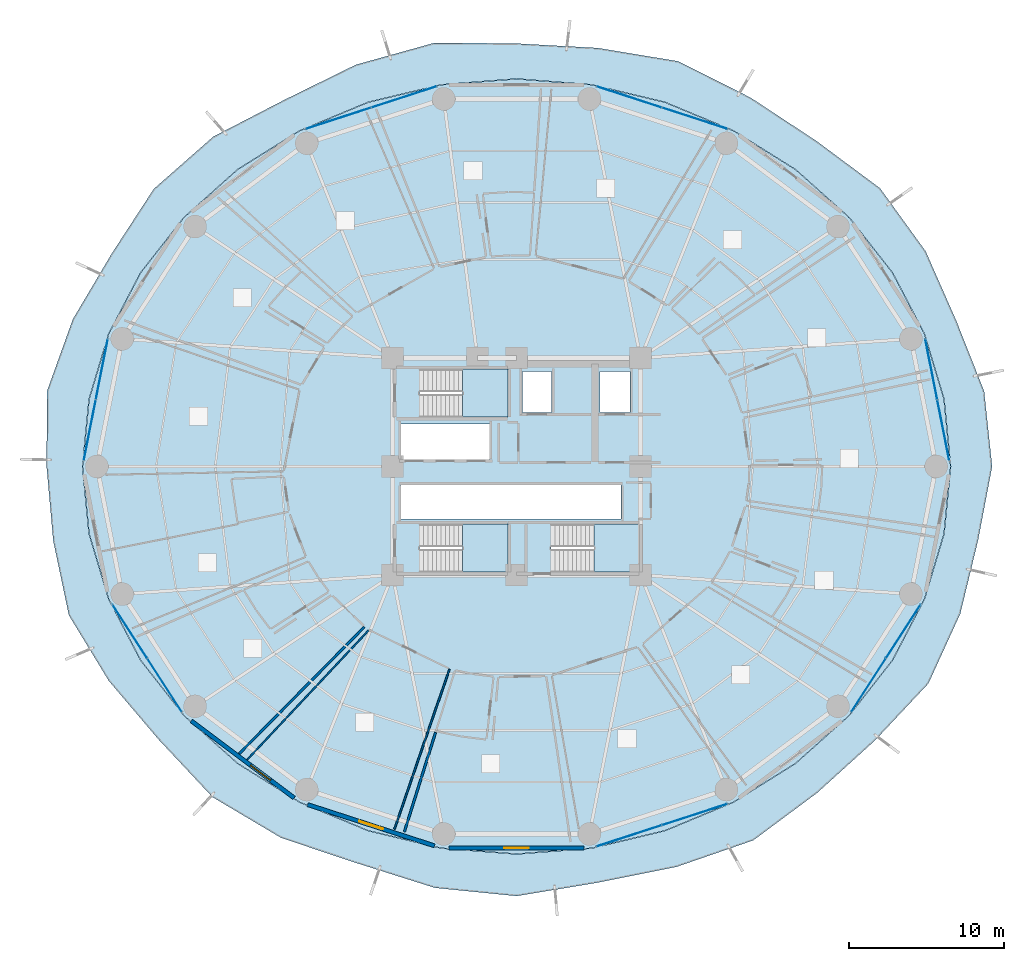
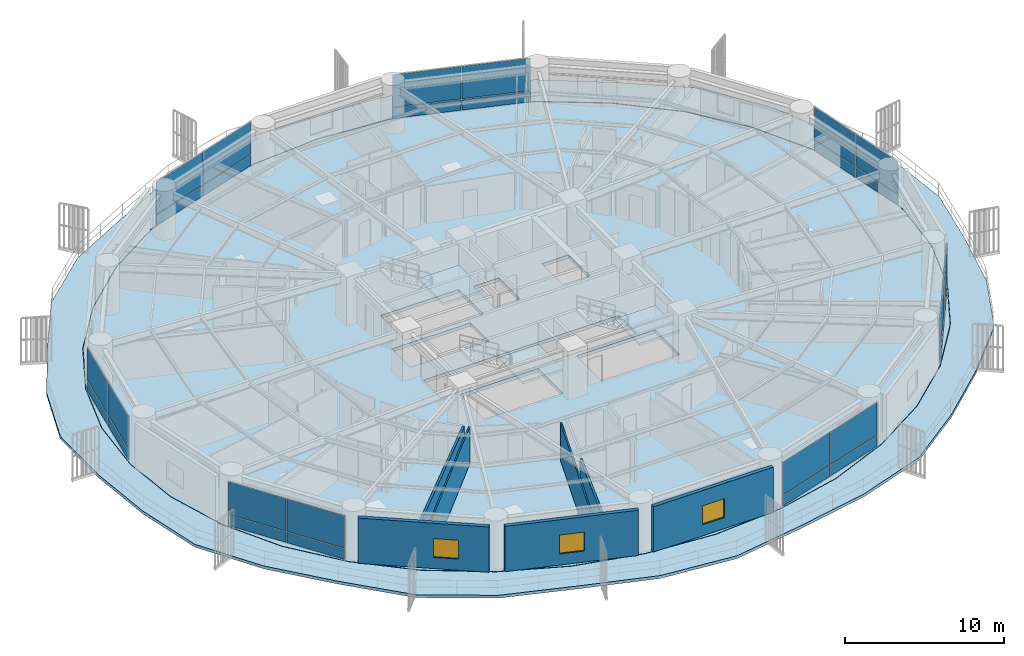
# One storey, part 23 of 34: 28 plates, 7 walls, 5 slabs, 3 windows, 3 openings, 10 elements without a shape of their own.
"""IFC4 building model written with IfcOpenShell, lengths in metres."""

import ifcopenshell
import ifcopenshell.guid

model = None  # the IFC model being written
_history = None  # IfcOwnerHistory: only IFC2X3 demands one
_inside = {}  # id of a spatial element -> (the spatial element, [elements in it])
_under = {}  # id of a project, library or spatial element -> (it, [spatial elements below it])
_declared = {}  # id of a project -> (the project, [libraries it declares])
_typed = {}  # id of a type object -> (the type object, [elements of that type])
_made_of = {}  # id of a material, layer set ... -> (it, [elements and type objects made of it])


def new_model(schema):
    """Start an empty IFC model of exactly this schema.

    Asked for "IFC4X3", IfcOpenShell would pick the latest addendum, in which some entities
    have other attributes; the version numbers below select the first issue.
    IFC2X3 requires an IfcOwnerHistory on every rooted entity: one is made here for all.
    """
    global model, _history
    if schema == "IFC4X3":
        model = ifcopenshell.file(schema_version=(4, 3, 0, 0))
    else:
        model = ifcopenshell.file(schema=schema)
    _inside.clear()
    _under.clear()
    _declared.clear()
    _typed.clear()
    _made_of.clear()
    _history = None
    if model.schema == "IFC2X3":
        org = make("IfcOrganization", Name="unknown")
        user = make(
            "IfcPersonAndOrganization",
            ThePerson=make("IfcPerson", FamilyName="unknown"),
            TheOrganization=org,
        )
        app = make(
            "IfcApplication",
            ApplicationDeveloper=org,
            Version="unknown",
            ApplicationFullName="unknown",
            ApplicationIdentifier="unknown",
        )
        _history = make(
            "IfcOwnerHistory",
            OwningUser=user,
            OwningApplication=app,
            ChangeAction="ADDED",
            CreationDate=0,
        )
    return model


def make(cls, **values):
    """One entity of the class cls with the attributes given. An attribute that is None is left unset."""
    return model.create_entity(
        cls, **{name: value for name, value in values.items() if value is not None}
    )


def rooted(cls, **values):
    """An entity with a GlobalId (a new one), such as an element, a storey or a relation."""
    return make(cls, GlobalId=ifcopenshell.guid.new(), OwnerHistory=_history, **values)


def si_unit(unit_type, name, prefix=None):
    """IfcSIUnit, for example si_unit("LENGTHUNIT", "METRE", prefix="MILLI")."""
    return make("IfcSIUnit", UnitType=unit_type, Prefix=prefix, Name=name)


def assignment(units):
    """IfcUnitAssignment: the units of a project."""
    return None if units is None else make("IfcUnitAssignment", Units=units)


def point(xyz):
    """IfcCartesianPoint."""
    return None if xyz is None else make("IfcCartesianPoint", Coordinates=xyz)


def direction(xyz):
    """IfcDirection."""
    return None if xyz is None else make("IfcDirection", DirectionRatios=xyz)


def frame(location, z_axis=None, x_axis=None):
    """IfcAxis2Placement3D, a coordinate frame: its origin and axes. An axis left out is left unset."""
    return make(
        "IfcAxis2Placement3D",
        Location=point(location),
        Axis=direction(z_axis),
        RefDirection=direction(x_axis),
    )


def frame_2d(location, x_axis=None):
    """IfcAxis2Placement2D, a coordinate frame in the plane: its origin and x axis."""
    return make(
        "IfcAxis2Placement2D", Location=point(location), RefDirection=direction(x_axis)
    )


def origin():
    """The frame at (0, 0, 0) with its axes left unset."""
    return frame((0.0, 0.0, 0.0))


def origin_2d():
    """The frame at (0, 0) in the plane with its x axis left unset."""
    return frame_2d((0.0, 0.0))


def place(relative_to, where):
    """IfcLocalPlacement: puts the frame where relative to a parent placement (None: the world)."""
    return make(
        "IfcLocalPlacement", PlacementRelTo=relative_to, RelativePlacement=where
    )


def context(
    kind, dimensions, precision=None, world=None, true_north=None, identifier=None
):
    """IfcGeometricRepresentationContext, for example the 3D "Model" context."""
    return make(
        "IfcGeometricRepresentationContext",
        ContextIdentifier=identifier,
        ContextType=kind,
        CoordinateSpaceDimension=dimensions,
        Precision=precision,
        WorldCoordinateSystem=world,
        TrueNorth=true_north,
    )


def subcontext(parent, identifier, kind, view, scale=None):
    """IfcGeometricRepresentationSubContext, for example "Body" below "Model"."""
    return make(
        "IfcGeometricRepresentationSubContext",
        ContextIdentifier=identifier,
        ContextType=kind,
        ParentContext=parent,
        TargetScale=scale,
        TargetView=view,
    )


def project(units=None, contexts=None):
    """IfcProject with its units and contexts."""
    return rooted(
        "IfcProject",
        Name="project",
        RepresentationContexts=contexts,
        UnitsInContext=assignment(units),
    )


def spatial(cls, under=None, at=None, **own):
    """A site, building, storey or space (cls), placed at a placement, below another one or the project."""
    s = rooted(cls, ObjectPlacement=at, **own)
    if under is not None:
        _under.setdefault(under.id(), (under, []))[1].append(s)
    return s


def polyline(points):
    """IfcPolyline through the points."""
    return make("IfcPolyline", Points=[point(p) for p in points])


def profile(cls, at=None, kind="AREA", **sizes):
    """A parametric profile (cls). Its sizes go by their IFC names, for example OverallWidth=200.0."""
    return make(cls, ProfileType=kind, Position=at, **sizes)


def rectangle(**sizes):
    """IfcRectangleProfileDef."""
    return profile("IfcRectangleProfileDef", **sizes)


def outline(outer, holes=None, kind="AREA"):
    """IfcArbitraryClosedProfileDef: a profile drawn as a closed curve; with holes, ...WithVoids."""
    if holes is None:
        return make("IfcArbitraryClosedProfileDef", ProfileType=kind, OuterCurve=outer)
    return make(
        "IfcArbitraryProfileDefWithVoids",
        ProfileType=kind,
        OuterCurve=outer,
        InnerCurves=holes,
    )


def extrude(swept, where, along, depth):
    """IfcExtrudedAreaSolid: the profile swept, set in the frame where, extruded along a direction by depth."""
    return make(
        "IfcExtrudedAreaSolid",
        SweptArea=swept,
        Position=where,
        ExtrudedDirection=direction(along),
        Depth=depth,
    )


def shape(context_of_items, identifier, shape_type, items):
    """IfcShapeRepresentation: the items that make up one representation, for example the "Body"."""
    return make(
        "IfcShapeRepresentation",
        ContextOfItems=context_of_items,
        RepresentationIdentifier=identifier,
        RepresentationType=shape_type,
        Items=items,
    )


def source(mapping_origin, context_of_items, identifier, shape_type, items):
    """IfcRepresentationMap: a shape defined once, which mapped items show again and again."""
    return make(
        "IfcRepresentationMap",
        MappingOrigin=mapping_origin,
        MappedRepresentation=shape(context_of_items, identifier, shape_type, items),
    )


def transform(
    local_origin,
    x_axis=None,
    y_axis=None,
    z_axis=None,
    scale=None,
    scale2=None,
    scale3=None,
    uniform=True,
):
    """IfcCartesianTransformationOperator3D, or its non-uniform kind. x_axis, y_axis, z_axis: its Axis1, 2, 3."""
    if uniform:
        return make(
            "IfcCartesianTransformationOperator3D",
            Axis1=direction(x_axis),
            Axis2=direction(y_axis),
            LocalOrigin=point(local_origin),
            Scale=scale,
            Axis3=direction(z_axis),
        )
    return make(
        "IfcCartesianTransformationOperator3DnonUniform",
        Axis1=direction(x_axis),
        Axis2=direction(y_axis),
        LocalOrigin=point(local_origin),
        Scale=scale,
        Axis3=direction(z_axis),
        Scale2=scale2,
        Scale3=scale3,
    )


def mapped(mapping_source, mapping_target):
    """IfcMappedItem: shows the shape of a source again, moved by a transform."""
    return make(
        "IfcMappedItem", MappingSource=mapping_source, MappingTarget=mapping_target
    )


def material(Name=None, Category=None):
    """IfcMaterial."""
    return make("IfcMaterial", Name=Name, Category=Category)


def layer(
    of_material, thickness, ventilated=None, Name=None, Category=None, Priority=None
):
    """IfcMaterialLayer: one layer of a wall or slab, of a material (None: an air gap)."""
    return make(
        "IfcMaterialLayer",
        Material=of_material,
        LayerThickness=thickness,
        IsVentilated=ventilated,
        Name=Name,
        Category=Category,
        Priority=Priority,
    )


def layer_set(layers, Name=None):
    """IfcMaterialLayerSet."""
    return make("IfcMaterialLayerSet", MaterialLayers=layers, LayerSetName=Name)


def made_of(thing, what):
    """Note that an element or type object is made of a material, layer set ...; save() writes the relation."""
    if what is not None:
        _made_of.setdefault(what.id(), (what, []))[1].append(thing)
    return thing


def type_object(cls, material=None, **own):
    """A type object (cls), such as IfcWallType, which elements share."""
    return made_of(rooted(cls, **own), material)


def element(
    cls,
    number,
    at=None,
    inside=None,
    cuts=None,
    type_object=None,
    material=None,
    context=None,
    identifier="Body",
    shape_type=None,
    held_by="IfcProductDefinitionShape",
    body=None,
    shapes=None,
    **own,
):
    """One element of the class cls, such as IfcWall. Its Tag is "e" and its number.

    at: its placement. inside: the storey or other place that contains it. cuts: it is an
    opening in that element (IfcRelVoidsElement). A single representation is given by context,
    identifier, shape_type and body (its items); several are given by shapes. held_by: the class
    of the entity that holds the representations. save() writes the other relations.
    """
    e = rooted(cls, Tag="e%d" % number, ObjectPlacement=at, **own)
    if body is not None:
        shapes = [shape(context, identifier, shape_type, body)]
    if shapes is not None:
        e.Representation = make(held_by, Representations=shapes)
    if inside is not None:
        _inside.setdefault(inside.id(), (inside, []))[1].append(e)
    if cuts is not None:
        rooted(
            "IfcRelVoidsElement", RelatingBuildingElement=cuts, RelatedOpeningElement=e
        )
    if type_object is not None:
        _typed.setdefault(type_object.id(), (type_object, []))[1].append(e)
    return made_of(e, material)


def fill(opening, filler):
    """IfcRelFillsElement: the door or window that sits in an opening."""
    return rooted(
        "IfcRelFillsElement",
        RelatingOpeningElement=opening,
        RelatedBuildingElement=filler,
    )


def aggregate(whole, parts):
    """IfcRelAggregates: a whole, such as a stair, and the parts it consists of."""
    return rooted("IfcRelAggregates", RelatingObject=whole, RelatedObjects=parts)


def save(model, path):
    """Write the relations noted so far, then the file.

    IfcRelAggregates (storeys below a building ...), IfcRelContainedInSpatialStructure (elements
    in a storey), IfcRelDefinesByType, IfcRelAssociatesMaterial and IfcRelDeclares: one each for
    every whole, place, type object, material and project.
    """
    for whole, parts in _under.values():
        aggregate(whole, parts)
    for where, things in _inside.values():
        rooted(
            "IfcRelContainedInSpatialStructure",
            RelatedElements=things,
            RelatingStructure=where,
        )
    for kind, things in _typed.values():
        rooted("IfcRelDefinesByType", RelatedObjects=things, RelatingType=kind)
    for what, things in _made_of.values():
        rooted("IfcRelAssociatesMaterial", RelatedObjects=things, RelatingMaterial=what)
    for by, libraries in _declared.values():
        rooted("IfcRelDeclares", RelatingContext=by, RelatedDefinitions=libraries)
    model.write(path)


model = new_model("IFC4")

# Units and contexts
model_context = context("Model", 3, precision=1e-05, world=origin(), true_north=direction((0.0, 1.0)))
body_context = subcontext(model_context, "Body", "Model", "MODEL_VIEW")
ifc_project = project(units=[si_unit("LENGTHUNIT", "METRE"), si_unit("AREAUNIT", "SQUARE_METRE"), si_unit("VOLUMEUNIT", "CUBIC_METRE"), si_unit("PLANEANGLEUNIT", "RADIAN"), si_unit("MASSUNIT", "GRAM", prefix="KILO")], contexts=[model_context])

# Site, building, storey
site_placement = place(None, origin())
site = spatial("IfcSite", under=ifc_project, at=site_placement, CompositionType="ELEMENT")
building_placement = place(site_placement, origin())
building = spatial("IfcBuilding", under=site, at=building_placement, Name="Kelanora Arch Commons", CompositionType="ELEMENT")
storey_placement = place(building_placement, frame((0.0, 0.0, 33.75)))
storey = spatial("IfcBuildingStorey", under=building, at=storey_placement, Name="L08", CompositionType="ELEMENT", Elevation=33.75)

# Stair, slab
ifc_material_1 = material(Name="Concrete C40/50", Category="concrete")
stair_type = type_object("IfcStairType", Name="STR-DL-375", PredefinedType="HALF_TURN_STAIR", material=ifc_material_1)
stair_1_placement = place(storey_placement, origin())
stair_1 = element("IfcStair", 1, at=stair_1_placement, inside=storey, type_object=stair_type, Name="L08 ST-T1", PredefinedType="HALF_TURN_STAIR")
ifc_layer_1 = layer(ifc_material_1, 0.199951171875)
ifc_layer_set_1 = layer_set([ifc_layer_1], Name="Concrete C40/50")
slab_type_1 = type_object("IfcSlabType", Name="SLB-STAIR-LND", PredefinedType="LANDING", material=ifc_layer_set_1)
slab_1_placement = place(storey_placement, frame((0.0, 0.0, 1.675048828125)))
slab_1 = element("IfcSlab", 2, at=slab_1_placement, type_object=slab_type_1, Name="ST-T1 landing 1", PredefinedType="LANDING", context=body_context, shape_type="SweptSolid", body=[
    extrude(outline(polyline([(70.52001953125, 61.179931640625), (73.43994140625, 61.179931640625), (73.43994140625, 64.2900390625), (70.52001953125, 64.2900390625), (70.52001953125, 61.179931640625)])), origin(), (0.0, 0.0, 1.0), 0.199951171875),
])
aggregate(stair_1, [slab_1])

stair_2_placement = place(storey_placement, origin())
stair_2 = element("IfcStair", 3, at=stair_2_placement, inside=storey, type_object=stair_type, Name="L08 ST-T2", PredefinedType="HALF_TURN_STAIR")
slab_2_placement = place(storey_placement, frame((0.0, 0.0, 1.675048828125)))
slab_2 = element("IfcSlab", 4, at=slab_2_placement, type_object=slab_type_1, Name="ST-T2 landing 1", PredefinedType="LANDING", context=body_context, shape_type="SweptSolid", body=[
    extrude(outline(polyline([(79.0, 51.179931640625), (81.919921875, 51.179931640625), (81.919921875, 54.2900390625), (79.0, 54.2900390625), (79.0, 51.179931640625)])), origin(), (0.0, 0.0, 1.0), 0.199951171875),
])
aggregate(stair_2, [slab_2])

stair_3_placement = place(storey_placement, origin())
stair_3 = element("IfcStair", 5, at=stair_3_placement, inside=storey, type_object=stair_type, Name="L08 ST-T3", PredefinedType="HALF_TURN_STAIR")
slab_3_placement = place(storey_placement, frame((0.0, 0.0, 1.675048828125)))
slab_3 = element("IfcSlab", 6, at=slab_3_placement, type_object=slab_type_1, Name="ST-T3 landing 1", PredefinedType="LANDING", context=body_context, shape_type="SweptSolid", body=[
    extrude(outline(polyline([(70.52001953125, 51.179931640625), (73.43994140625, 51.179931640625), (73.43994140625, 54.2900390625), (70.52001953125, 54.2900390625), (70.52001953125, 51.179931640625)])), origin(), (0.0, 0.0, 1.0), 0.199951171875),
])
aggregate(stair_3, [slab_3])

# Slabs
ifc_layer_2 = layer(ifc_material_1, 0.260009765625)
ifc_layer_set_2 = layer_set([ifc_layer_2], Name="Concrete C40/50")
slab_type_2 = type_object("IfcSlabType", Name="SLB-TWR-TYP", PredefinedType="FLOOR", material=ifc_layer_set_2)
slab_4_placement = place(storey_placement, frame((0.0, 0.0, -0.260009765625)))
element("IfcSlab", 7, at=slab_4_placement, inside=storey, type_object=slab_type_2, Name="Tower Floor Slab L08", PredefinedType="FLOOR", context=body_context, shape_type="SweptSolid", body=[
    extrude(outline(polyline([(102.0, 58.0), (101.57470703125, 62.34130859375), (100.311279296875, 66.550537109375), (98.248779296875, 70.5), (95.44921875, 74.069580078125), (91.998046875, 77.151123046875), (88.0, 79.650634765625), (83.57666015625, 81.4921875), (78.862060546875, 82.6201171875), (74.0, 83.0), (69.137939453125, 82.6201171875), (64.42333984375, 81.4921875), (60.0, 79.650634765625), (56.001953125, 77.151123046875), (52.55078125, 74.069580078125), (49.751220703125, 70.5), (47.688720703125, 66.550537109375), (46.42529296875, 62.34130859375), (46.0, 58.0), (46.42529296875, 53.65869140625), (47.688720703125, 49.449462890625), (49.751220703125, 45.5), (52.55078125, 41.930419921875), (56.001953125, 38.848876953125), (60.0, 36.349365234375), (64.42333984375, 34.5078125), (69.137939453125, 33.3798828125), (74.0, 33.0), (78.862060546875, 33.3798828125), (83.57666015625, 34.5078125), (88.0, 36.349365234375), (91.998046875, 38.848876953125), (95.44921875, 41.930419921875), (98.248779296875, 45.5), (100.311279296875, 49.449462890625), (101.57470703125, 53.65869140625), (102.0, 58.0)]), holes=[polyline([(73.431884765625, 51.18798828125), (67.72802734375, 51.18798828125), (67.72802734375, 54.281982421875), (73.431884765625, 54.281982421875), (73.431884765625, 51.18798828125)]), polyline([(76.2080078125, 51.18798828125), (76.2080078125, 54.281982421875), (81.912109375, 54.281982421875), (81.912109375, 51.18798828125), (76.2080078125, 51.18798828125)]), polyline([(66.550048828125, 54.60009765625), (66.550048828125, 56.800048828125), (80.75, 56.800048828125), (80.75, 54.60009765625), (66.550048828125, 54.60009765625)]), polyline([(66.550048828125, 58.449951171875), (66.550048828125, 60.75), (72.25, 60.75), (72.25, 58.449951171875), (66.550048828125, 58.449951171875)]), polyline([(67.72802734375, 61.18798828125), (67.72802734375, 64.281982421875), (73.431884765625, 64.281982421875), (73.431884765625, 61.18798828125), (67.72802734375, 61.18798828125)]), polyline([(74.3798828125, 61.47998046875), (74.3798828125, 64.1201171875), (76.260009765625, 64.1201171875), (76.260009765625, 61.47998046875), (74.3798828125, 61.47998046875)]), polyline([(79.3798828125, 61.47998046875), (79.3798828125, 64.1201171875), (81.320068359375, 64.1201171875), (81.320068359375, 61.47998046875), (79.3798828125, 61.47998046875)])]), origin(), (0.0, 0.0, 1.0), 0.260009765625),
])
ifc_layer_3 = layer(ifc_material_1, 0.219970703125)
ifc_layer_set_3 = layer_set([ifc_layer_3], Name="Concrete C40/50")
slab_type_3 = type_object("IfcSlabType", Name="SLB-WAVE-BAL", PredefinedType="FLOOR", material=ifc_layer_set_3)
slab_5_placement = place(storey_placement, frame((0.0, 0.0, -0.219970703125)))
element("IfcSlab", 8, at=slab_5_placement, inside=storey, type_object=slab_type_3, Name="Sinusoidal Wave Balcony Slab L08", PredefinedType="FLOOR", context=body_context, shape_type="SweptSolid", body=[
    extrude(outline(polyline([(104.6875, 58.0), (104.172119140625, 62.85400390625), (102.3779296875, 67.39306640625), (100.395263671875, 71.887939453125), (97.453125, 75.952880859375), (93.372802734375, 78.986083984375), (89.10498046875, 81.794189453125), (84.43798828125, 84.143310546875), (79.2373046875, 85.002685546875), (74.0, 85.29296875), (68.710205078125, 85.336669921875), (63.63330078125, 83.92333984375), (58.977294921875, 81.63427734375), (54.41455078125, 79.27001953125), (50.59228515625, 75.91015625), (47.86669921875, 71.71875), (45.36669921875, 67.4970703125), (43.707275390625, 62.8779296875), (43.672607421875, 58.0), (44.102783203125, 53.2001953125), (45.111328125, 48.39892578125), (47.6865234375, 44.164794921875), (50.900146484375, 40.379150390625), (54.369873046875, 36.67041015625), (58.80712890625, 34.035400390625), (63.735107421875, 32.38916015625), (68.73291015625, 30.80810546875), (74.0, 30.278076171875), (79.21435546875, 31.142333984375), (84.33642578125, 32.169189453125), (89.275390625, 33.87548828125), (93.41748046875, 36.9541015625), (97.145263671875, 40.33642578125), (100.5751953125, 43.99560546875), (102.63330078125, 48.5029296875), (103.776611328125, 53.22412109375), (104.6875, 58.0)]), holes=[polyline([(101.59423828125, 53.6552734375), (100.330078125, 49.442626953125), (98.26611328125, 45.489990234375), (95.464599609375, 41.91748046875), (92.010986328125, 38.83349609375), (88.010009765625, 36.33203125), (83.58349609375, 34.489013671875), (78.865478515625, 33.360107421875), (74.0, 32.97998046875), (69.134521484375, 33.360107421875), (64.41650390625, 34.489013671875), (59.989990234375, 36.33203125), (55.989013671875, 38.83349609375), (52.535400390625, 41.91748046875), (49.73388671875, 45.489990234375), (47.669921875, 49.442626953125), (46.40576171875, 53.6552734375), (45.97998046875, 58.0), (46.40576171875, 62.3447265625), (47.669921875, 66.557373046875), (49.73388671875, 70.510009765625), (52.535400390625, 74.08251953125), (55.989013671875, 77.16650390625), (59.989990234375, 79.66796875), (64.41650390625, 81.510986328125), (69.134521484375, 82.639892578125), (74.0, 83.02001953125), (78.865478515625, 82.639892578125), (83.58349609375, 81.510986328125), (88.010009765625, 79.66796875), (92.010986328125, 77.16650390625), (95.464599609375, 74.08251953125), (98.26611328125, 70.510009765625), (100.330078125, 66.557373046875), (101.59423828125, 62.3447265625), (102.02001953125, 58.0), (101.59423828125, 53.6552734375)])]), origin(), (0.0, 0.0, 1.0), 0.219970703125),
])

# Curtain wall, plates
ifc_material_2 = material(Name="Terracotta ceramic-fritted low-E glass and aluminium", Category="masonry")
ifc_layer_4 = layer(ifc_material_2, 0.159912109375)
ifc_layer_set_4 = layer_set([ifc_layer_4], Name="Terracotta ceramic-fritted low-E glass and aluminium")
curtain_wall_type = type_object("IfcCurtainWallType", Name="CW-SYS-01", PredefinedType="NOTDEFINED", material=ifc_layer_set_4)
curtain_wall_1_placement = place(storey_placement, origin())
curtain_wall_1 = element("IfcCurtainWall", 9, at=curtain_wall_1_placement, inside=storey, type_object=curtain_wall_type, Name="Unitised Curtain Wall L08-B00", PredefinedType="NOTDEFINED")
ifc_material_3 = material(Name="Terracotta ceramic-fritted double glazing", Category="masonry")
ifc_layer_5 = layer(ifc_material_3, 0.028076171875)
ifc_layer_set_5 = layer_set([ifc_layer_5], Name="Terracotta ceramic-fritted double glazing")
plate_type = type_object("IfcPlateType", Name="CWP-FRIT", PredefinedType="CURTAIN_PANEL", material=ifc_layer_set_5)
shared_shape_1 = source(origin(), body_context, "Body", "SweptSolid", [
    extrude(rectangle(XDim=3.9482421875, YDim=0.028076171875, at=origin_2d()), origin(), (0.0, 0.0, 1.0), 0.81005859375),
])
plate_1_placement = place(storey_placement, frame((101.536865234375, 60.34521484375, 0.06005859375), z_axis=(0.0, 0.0, 1.0), x_axis=(-0.193744048498, 0.981052110579, 0.0)))
plate_1 = element("IfcPlate", 10, at=plate_1_placement, type_object=plate_type, Name="CW-01 panel 1.1", PredefinedType="CURTAIN_PANEL", context=body_context, shape_type="MappedRepresentation", body=[
    mapped(shared_shape_1, transform((0.0, 0.0, 0.0), scale=1.0)),
])
plate_2_placement = place(storey_placement, frame((100.76025390625, 64.277587890625, 0.06005859375), z_axis=(0.0, 0.0, 1.0), x_axis=(-0.193744048498, 0.981052110579, 0.0)))
plate_2 = element("IfcPlate", 11, at=plate_2_placement, type_object=plate_type, Name="CW-01 panel 2.1", PredefinedType="CURTAIN_PANEL", context=body_context, shape_type="MappedRepresentation", body=[
    mapped(shared_shape_1, transform((0.0, 0.0, 0.0), scale=1.0)),
])

curtain_wall_2_placement = place(storey_placement, origin())
curtain_wall_2 = element("IfcCurtainWall", 12, at=curtain_wall_2_placement, inside=storey, type_object=curtain_wall_type, Name="Unitised Curtain Wall L08-B08", PredefinedType="NOTDEFINED")
plate_3_placement = place(storey_placement, frame((47.23974609375, 64.277587890625, 0.06005859375), z_axis=(0.0, 0.0, 1.0), x_axis=(-0.193744048498, -0.981052110579, 0.0)))
plate_3 = element("IfcPlate", 13, at=plate_3_placement, type_object=plate_type, Name="CW-01 panel 1.1", PredefinedType="CURTAIN_PANEL", context=body_context, shape_type="MappedRepresentation", body=[
    mapped(shared_shape_1, transform((0.0, 0.0, 0.0), scale=1.0)),
])
plate_4_placement = place(storey_placement, frame((46.463134765625, 60.34521484375, 0.06005859375), z_axis=(0.0, 0.0, 1.0), x_axis=(-0.193744048498, -0.981052110579, 0.0)))
plate_4 = element("IfcPlate", 14, at=plate_4_placement, type_object=plate_type, Name="CW-01 panel 2.1", PredefinedType="CURTAIN_PANEL", context=body_context, shape_type="MappedRepresentation", body=[
    mapped(shared_shape_1, transform((0.0, 0.0, 0.0), scale=1.0)),
])

# Plate
shared_shape_2 = source(origin(), body_context, "Body", "SweptSolid", [
    extrude(rectangle(XDim=3.9482421875, YDim=0.028076171875, at=origin_2d()), origin(), (0.0, 0.0, 1.0), 2.485107421875),
])
plate_5_placement = place(storey_placement, frame((101.536865234375, 60.34521484375, 0.93017578125), z_axis=(0.0, 0.0, 1.0), x_axis=(-0.193744048498, 0.981052110579, 0.0)))
plate_5 = element("IfcPlate", 15, at=plate_5_placement, type_object=plate_type, Name="CW-01 panel 1.2", PredefinedType="CURTAIN_PANEL", context=body_context, shape_type="MappedRepresentation", body=[
    mapped(shared_shape_2, transform((0.0, 0.0, 0.0), scale=1.0)),
])

plate_6_placement = place(storey_placement, frame((100.76025390625, 64.277587890625, 0.93017578125), z_axis=(0.0, 0.0, 1.0), x_axis=(-0.193744048498, 0.981052110579, 0.0)))
plate_6 = element("IfcPlate", 16, at=plate_6_placement, type_object=plate_type, Name="CW-01 panel 2.2", PredefinedType="CURTAIN_PANEL", context=body_context, shape_type="MappedRepresentation", body=[
    mapped(shared_shape_2, transform((0.0, 0.0, 0.0), scale=1.0)),
])

aggregate(curtain_wall_1, [plate_1, plate_5, plate_2, plate_6])

plate_7_placement = place(storey_placement, frame((47.23974609375, 64.277587890625, 0.93017578125), z_axis=(0.0, 0.0, 1.0), x_axis=(-0.193744048498, -0.981052110579, 0.0)))
plate_7 = element("IfcPlate", 17, at=plate_7_placement, type_object=plate_type, Name="CW-01 panel 1.2", PredefinedType="CURTAIN_PANEL", context=body_context, shape_type="MappedRepresentation", body=[
    mapped(shared_shape_2, transform((0.0, 0.0, 0.0), scale=1.0)),
])

plate_8_placement = place(storey_placement, frame((46.463134765625, 60.34521484375, 0.93017578125), z_axis=(0.0, 0.0, 1.0), x_axis=(-0.193744048498, -0.981052110579, 0.0)))
plate_8 = element("IfcPlate", 18, at=plate_8_placement, type_object=plate_type, Name="CW-01 panel 2.2", PredefinedType="CURTAIN_PANEL", context=body_context, shape_type="MappedRepresentation", body=[
    mapped(shared_shape_2, transform((0.0, 0.0, 0.0), scale=1.0)),
])

aggregate(curtain_wall_2, [plate_3, plate_7, plate_4, plate_8])

# Curtain wall, plates
curtain_wall_3_placement = place(storey_placement, origin())
curtain_wall_3 = element("IfcCurtainWall", 19, at=curtain_wall_3_placement, inside=storey, type_object=curtain_wall_type, Name="Unitised Curtain Wall L08-B03", PredefinedType="NOTDEFINED")
shared_shape_3 = source(origin(), body_context, "Body", "SweptSolid", [
    extrude(rectangle(XDim=4.39453125, YDim=0.028076171875, at=origin_2d()), origin(), (0.0, 0.0, 1.0), 0.81005859375),
])
plate_9_placement = place(storey_placement, frame((85.4892578125, 80.466552734375, 0.06005859375), z_axis=(0.0, 0.0, 1.0), x_axis=(-0.951043326793, 0.30905758454, 0.0)))
plate_9 = element("IfcPlate", 20, at=plate_9_placement, type_object=plate_type, Name="CW-01 panel 1.1", PredefinedType="CURTAIN_PANEL", context=body_context, shape_type="MappedRepresentation", body=[
    mapped(shared_shape_3, transform((0.0, 0.0, 0.0), scale=1.0)),
])
plate_10_placement = place(storey_placement, frame((81.252685546875, 81.84326171875, 0.06005859375), z_axis=(0.0, 0.0, 1.0), x_axis=(-0.951043326793, 0.30905758454, 0.0)))
plate_10 = element("IfcPlate", 21, at=plate_10_placement, type_object=plate_type, Name="CW-01 panel 2.1", PredefinedType="CURTAIN_PANEL", context=body_context, shape_type="MappedRepresentation", body=[
    mapped(shared_shape_3, transform((0.0, 0.0, 0.0), scale=1.0)),
])

curtain_wall_4_placement = place(storey_placement, origin())
curtain_wall_4 = element("IfcCurtainWall", 22, at=curtain_wall_4_placement, inside=storey, type_object=curtain_wall_type, Name="Unitised Curtain Wall L08-B05", PredefinedType="NOTDEFINED")
plate_11_placement = place(storey_placement, frame((66.747314453125, 81.84326171875, 0.06005859375), z_axis=(0.0, 0.0, 1.0), x_axis=(-0.951043326793, -0.30905758454, 0.0)))
plate_11 = element("IfcPlate", 23, at=plate_11_placement, type_object=plate_type, Name="CW-01 panel 1.1", PredefinedType="CURTAIN_PANEL", context=body_context, shape_type="MappedRepresentation", body=[
    mapped(shared_shape_3, transform((0.0, 0.0, 0.0), scale=1.0)),
])
plate_12_placement = place(storey_placement, frame((62.5107421875, 80.466552734375, 0.06005859375), z_axis=(0.0, 0.0, 1.0), x_axis=(-0.951043326793, -0.30905758454, 0.0)))
plate_12 = element("IfcPlate", 24, at=plate_12_placement, type_object=plate_type, Name="CW-01 panel 2.1", PredefinedType="CURTAIN_PANEL", context=body_context, shape_type="MappedRepresentation", body=[
    mapped(shared_shape_3, transform((0.0, 0.0, 0.0), scale=1.0)),
])

curtain_wall_5_placement = place(storey_placement, origin())
curtain_wall_5 = element("IfcCurtainWall", 25, at=curtain_wall_5_placement, inside=storey, type_object=curtain_wall_type, Name="Unitised Curtain Wall L08-B14", PredefinedType="NOTDEFINED")
plate_13_placement = place(storey_placement, frame((81.252685546875, 34.15673828125, 0.06005859375), z_axis=(0.0, 0.0, 1.0), x_axis=(0.951043326793, 0.30905758454, 0.0)))
plate_13 = element("IfcPlate", 26, at=plate_13_placement, type_object=plate_type, Name="CW-01 panel 1.1", PredefinedType="CURTAIN_PANEL", context=body_context, shape_type="MappedRepresentation", body=[
    mapped(shared_shape_3, transform((0.0, 0.0, 0.0), scale=1.0)),
])
plate_14_placement = place(storey_placement, frame((85.4892578125, 35.533447265625, 0.06005859375), z_axis=(0.0, 0.0, 1.0), x_axis=(0.951043326793, 0.30905758454, 0.0)))
plate_14 = element("IfcPlate", 27, at=plate_14_placement, type_object=plate_type, Name="CW-01 panel 2.1", PredefinedType="CURTAIN_PANEL", context=body_context, shape_type="MappedRepresentation", body=[
    mapped(shared_shape_3, transform((0.0, 0.0, 0.0), scale=1.0)),
])

# Plate
shared_shape_4 = source(origin(), body_context, "Body", "SweptSolid", [
    extrude(rectangle(XDim=4.39453125, YDim=0.028076171875, at=origin_2d()), origin(), (0.0, 0.0, 1.0), 2.485107421875),
])
plate_15_placement = place(storey_placement, frame((85.4892578125, 80.466552734375, 0.93017578125), z_axis=(0.0, 0.0, 1.0), x_axis=(-0.951043326793, 0.30905758454, 0.0)))
plate_15 = element("IfcPlate", 28, at=plate_15_placement, type_object=plate_type, Name="CW-01 panel 1.2", PredefinedType="CURTAIN_PANEL", context=body_context, shape_type="MappedRepresentation", body=[
    mapped(shared_shape_4, transform((0.0, 0.0, 0.0), scale=1.0)),
])

plate_16_placement = place(storey_placement, frame((81.252685546875, 81.84326171875, 0.93017578125), z_axis=(0.0, 0.0, 1.0), x_axis=(-0.951043326793, 0.30905758454, 0.0)))
plate_16 = element("IfcPlate", 29, at=plate_16_placement, type_object=plate_type, Name="CW-01 panel 2.2", PredefinedType="CURTAIN_PANEL", context=body_context, shape_type="MappedRepresentation", body=[
    mapped(shared_shape_4, transform((0.0, 0.0, 0.0), scale=1.0)),
])

aggregate(curtain_wall_3, [plate_9, plate_15, plate_10, plate_16])

plate_17_placement = place(storey_placement, frame((66.747314453125, 81.84326171875, 0.93017578125), z_axis=(0.0, 0.0, 1.0), x_axis=(-0.951043326793, -0.30905758454, 0.0)))
plate_17 = element("IfcPlate", 30, at=plate_17_placement, type_object=plate_type, Name="CW-01 panel 1.2", PredefinedType="CURTAIN_PANEL", context=body_context, shape_type="MappedRepresentation", body=[
    mapped(shared_shape_4, transform((0.0, 0.0, 0.0), scale=1.0)),
])

plate_18_placement = place(storey_placement, frame((62.5107421875, 80.466552734375, 0.93017578125), z_axis=(0.0, 0.0, 1.0), x_axis=(-0.951043326793, -0.30905758454, 0.0)))
plate_18 = element("IfcPlate", 31, at=plate_18_placement, type_object=plate_type, Name="CW-01 panel 2.2", PredefinedType="CURTAIN_PANEL", context=body_context, shape_type="MappedRepresentation", body=[
    mapped(shared_shape_4, transform((0.0, 0.0, 0.0), scale=1.0)),
])

aggregate(curtain_wall_4, [plate_11, plate_17, plate_12, plate_18])

plate_19_placement = place(storey_placement, frame((81.252685546875, 34.15673828125, 0.93017578125), z_axis=(0.0, 0.0, 1.0), x_axis=(0.951043326793, 0.30905758454, 0.0)))
plate_19 = element("IfcPlate", 32, at=plate_19_placement, type_object=plate_type, Name="CW-01 panel 1.2", PredefinedType="CURTAIN_PANEL", context=body_context, shape_type="MappedRepresentation", body=[
    mapped(shared_shape_4, transform((0.0, 0.0, 0.0), scale=1.0)),
])

plate_20_placement = place(storey_placement, frame((85.4892578125, 35.533447265625, 0.93017578125), z_axis=(0.0, 0.0, 1.0), x_axis=(0.951043326793, 0.30905758454, 0.0)))
plate_20 = element("IfcPlate", 33, at=plate_20_placement, type_object=plate_type, Name="CW-01 panel 2.2", PredefinedType="CURTAIN_PANEL", context=body_context, shape_type="MappedRepresentation", body=[
    mapped(shared_shape_4, transform((0.0, 0.0, 0.0), scale=1.0)),
])

aggregate(curtain_wall_5, [plate_13, plate_19, plate_14, plate_20])

# Curtain wall, plates
curtain_wall_6_placement = place(storey_placement, origin())
curtain_wall_6 = element("IfcCurtainWall", 34, at=curtain_wall_6_placement, inside=storey, type_object=curtain_wall_type, Name="Unitised Curtain Wall L08-B10", PredefinedType="NOTDEFINED")
shared_shape_5 = source(origin(), body_context, "Body", "SweptSolid", [
    extrude(rectangle(XDim=4.06787109375, YDim=0.028076171875, at=origin_2d()), origin(), (0.0, 0.0, 1.0), 0.81005859375),
])
plate_21_placement = place(storey_placement, frame((49.04833984375, 47.346435546875, 0.06005859375), z_axis=(0.0, 0.0, 1.0), x_axis=(0.543004441812, -0.83972982332, 0.0)))
plate_21 = element("IfcPlate", 35, at=plate_21_placement, type_object=plate_type, Name="CW-01 panel 1.1", PredefinedType="CURTAIN_PANEL", context=body_context, shape_type="MappedRepresentation", body=[
    mapped(shared_shape_5, transform((0.0, 0.0, 0.0), scale=1.0)),
])
plate_22_placement = place(storey_placement, frame((51.289794921875, 43.880126953125, 0.06005859375), z_axis=(0.0, 0.0, 1.0), x_axis=(0.543004441812, -0.83972982332, 0.0)))
plate_22 = element("IfcPlate", 36, at=plate_22_placement, type_object=plate_type, Name="CW-01 panel 2.1", PredefinedType="CURTAIN_PANEL", context=body_context, shape_type="MappedRepresentation", body=[
    mapped(shared_shape_5, transform((0.0, 0.0, 0.0), scale=1.0)),
])

curtain_wall_7_placement = place(storey_placement, origin())
curtain_wall_7 = element("IfcCurtainWall", 37, at=curtain_wall_7_placement, inside=storey, type_object=curtain_wall_type, Name="Unitised Curtain Wall L08-B16", PredefinedType="NOTDEFINED")
plate_23_placement = place(storey_placement, frame((96.710205078125, 43.880126953125, 0.06005859375), z_axis=(0.0, 0.0, 1.0), x_axis=(0.543004441812, 0.83972982332, 0.0)))
plate_23 = element("IfcPlate", 38, at=plate_23_placement, type_object=plate_type, Name="CW-01 panel 1.1", PredefinedType="CURTAIN_PANEL", context=body_context, shape_type="MappedRepresentation", body=[
    mapped(shared_shape_5, transform((0.0, 0.0, 0.0), scale=1.0)),
])
plate_24_placement = place(storey_placement, frame((98.95166015625, 47.346435546875, 0.06005859375), z_axis=(0.0, 0.0, 1.0), x_axis=(0.543004441812, 0.83972982332, 0.0)))
plate_24 = element("IfcPlate", 39, at=plate_24_placement, type_object=plate_type, Name="CW-01 panel 2.1", PredefinedType="CURTAIN_PANEL", context=body_context, shape_type="MappedRepresentation", body=[
    mapped(shared_shape_5, transform((0.0, 0.0, 0.0), scale=1.0)),
])

# Plate
shared_shape_6 = source(origin(), body_context, "Body", "SweptSolid", [
    extrude(rectangle(XDim=4.06787109375, YDim=0.028076171875, at=origin_2d()), origin(), (0.0, 0.0, 1.0), 2.485107421875),
])
plate_25_placement = place(storey_placement, frame((49.04833984375, 47.346435546875, 0.93017578125), z_axis=(0.0, 0.0, 1.0), x_axis=(0.543004441812, -0.83972982332, 0.0)))
plate_25 = element("IfcPlate", 40, at=plate_25_placement, type_object=plate_type, Name="CW-01 panel 1.2", PredefinedType="CURTAIN_PANEL", context=body_context, shape_type="MappedRepresentation", body=[
    mapped(shared_shape_6, transform((0.0, 0.0, 0.0), scale=1.0)),
])

plate_26_placement = place(storey_placement, frame((51.289794921875, 43.880126953125, 0.93017578125), z_axis=(0.0, 0.0, 1.0), x_axis=(0.543004441812, -0.83972982332, 0.0)))
plate_26 = element("IfcPlate", 41, at=plate_26_placement, type_object=plate_type, Name="CW-01 panel 2.2", PredefinedType="CURTAIN_PANEL", context=body_context, shape_type="MappedRepresentation", body=[
    mapped(shared_shape_6, transform((0.0, 0.0, 0.0), scale=1.0)),
])

aggregate(curtain_wall_6, [plate_21, plate_25, plate_22, plate_26])

plate_27_placement = place(storey_placement, frame((96.710205078125, 43.880126953125, 0.93017578125), z_axis=(0.0, 0.0, 1.0), x_axis=(0.543004441812, 0.83972982332, 0.0)))
plate_27 = element("IfcPlate", 42, at=plate_27_placement, type_object=plate_type, Name="CW-01 panel 1.2", PredefinedType="CURTAIN_PANEL", context=body_context, shape_type="MappedRepresentation", body=[
    mapped(shared_shape_6, transform((0.0, 0.0, 0.0), scale=1.0)),
])

plate_28_placement = place(storey_placement, frame((98.95166015625, 47.346435546875, 0.93017578125), z_axis=(0.0, 0.0, 1.0), x_axis=(0.543004441812, 0.83972982332, 0.0)))
plate_28 = element("IfcPlate", 43, at=plate_28_placement, type_object=plate_type, Name="CW-01 panel 2.2", PredefinedType="CURTAIN_PANEL", context=body_context, shape_type="MappedRepresentation", body=[
    mapped(shared_shape_6, transform((0.0, 0.0, 0.0), scale=1.0)),
])

aggregate(curtain_wall_7, [plate_23, plate_27, plate_24, plate_28])

# Walls
ifc_material_4 = material(Name="Autoclaved aerated concrete blockwork with fire plaster", Category="masonry")
ifc_layer_6 = layer(ifc_material_4, 0.14990234375)
ifc_layer_set_6 = layer_set([ifc_layer_6], Name="Autoclaved aerated concrete blockwork with fire plaster")
wall_type_1 = type_object("IfcWallType", Name="W-COMP-150", PredefinedType="PARTITIONING", material=ifc_layer_set_6)
wall_1_placement = place(storey_placement, frame((64.1708984375, 47.638427734375, 0.0), z_axis=(0.0, 0.0, 1.0), x_axis=(-0.702465266663, -0.711718026421, 0.0)))
element("IfcWall", 44, at=wall_1_placement, inside=storey, type_object=wall_type_1, Name="Co-Living Studio L08-09 Enclosure Partition 2", PredefinedType="PARTITIONING", context=body_context, shape_type="SweptSolid", body=[
    extrude(rectangle(XDim=11.477783203125, YDim=0.14990234375, at=frame_2d((5.73876953125, 0.0))), origin(), (0.0, 0.0, 1.0), 2.875),
])
wall_2_placement = place(storey_placement, frame((66.760986328125, 34.42626953125, 0.0), z_axis=(0.0, 0.0, 1.0), x_axis=(0.299536567827, 0.954084820409, 0.0)))
element("IfcWall", 45, at=wall_2_placement, inside=storey, type_object=wall_type_1, Name="Co-Living Studio L08-11 Enclosure Partition 5", PredefinedType="PARTITIONING", context=body_context, shape_type="SweptSolid", body=[
    extrude(rectangle(XDim=6.72021484375, YDim=0.14990234375, at=frame_2d((3.360107421875, 0.0))), origin(), (0.0, 0.0, 1.0), 2.875),
])

# Wall, opening, window
ifc_material_5 = material(Name="Precast concrete C40/50 with terracotta rainscreen", Category="masonry")
ifc_layer_7 = layer(ifc_material_5, 0.260009765625)
ifc_layer_set_7 = layer_set([ifc_layer_7], Name="Precast concrete C40/50 with terracotta rainscreen")
wall_type_2 = type_object("IfcWallType", Name="W-EXT-TC", PredefinedType="SOLIDWALL", material=ifc_layer_set_7)
wall_3_placement = place(storey_placement, frame((53.01611328125, 41.581787109375, 0.0), z_axis=(0.0, 0.0, 1.0), x_axis=(0.80030733173, -0.599590005569, 0.0)))
wall_3 = element("IfcWall", 46, at=wall_3_placement, inside=storey, type_object=wall_type_2, Name="Terracotta Exterior Wall L08-B11", PredefinedType="SOLIDWALL", context=body_context, shape_type="SweptSolid", body=[
    extrude(rectangle(XDim=8.29052734375, YDim=0.260009765625, at=frame_2d((4.145263671875, 0.0))), origin(), (0.0, 0.0, 1.0), 3.47509765625),
])
opening_1_placement = place(wall_3_placement, frame((4.784912109375, 0.0, 0.85009765625)))
opening_1 = element("IfcOpeningElement", 47, at=opening_1_placement, cuts=wall_3, Name="Opening WN-01", PredefinedType="OPENING", context=body_context, shape_type="SweptSolid", body=[
    extrude(rectangle(XDim=1.60009765625, YDim=1.449951171875, at=frame_2d((0.800048828125, 0.72509765625))), frame((0.0, 0.14013671875, 0.0), z_axis=(0.0, -1.0, 0.0), x_axis=(1.0, 0.0, 0.0)), (0.0, 0.0, 1.0), 0.280029296875),
])
ifc_material_6 = material(Name="Terracotta-anodised aluminium frame with operable low-E glazing", Category="masonry")
window_type = type_object("IfcWindowType", Name="WIN-CL-18", PartitioningType="DOUBLE_PANEL_VERTICAL", PredefinedType="WINDOW", material=ifc_material_6)
window_1_placement = place(opening_1_placement, origin())
window_1 = element("IfcWindow", 48, at=window_1_placement, inside=storey, type_object=window_type, Name="Co-Living Operable Window L08-B11", OverallHeight=1.449951171875, OverallWidth=1.60009765625, PartitioningType="SINGLE_PANEL", PredefinedType="WINDOW", context=body_context, shape_type="SweptSolid", body=[
    extrude(rectangle(XDim=1.60009765625, YDim=1.449951171875, at=frame_2d((0.800048828125, 0.72509765625))), frame((0.0, 0.030029296875, 0.0), z_axis=(0.0, -1.0, 0.0), x_axis=(1.0, 0.0, 0.0)), (0.0, 0.0, 1.0), 0.06005859375),
])
fill(opening_1, window_1)

wall_4_placement = place(storey_placement, frame((60.5263671875, 36.178466796875, 0.0), z_axis=(0.0, 0.0, 1.0), x_axis=(0.951039914291, -0.309068085421, 0.0)))
wall_4 = element("IfcWall", 49, at=wall_4_placement, inside=storey, type_object=wall_type_2, Name="Terracotta Exterior Wall L08-B12", PredefinedType="SOLIDWALL", context=body_context, shape_type="SweptSolid", body=[
    extrude(rectangle(XDim=8.593505859375, YDim=0.260009765625, at=frame_2d((4.296875, 0.0))), origin(), (0.0, 0.0, 1.0), 3.47509765625),
])
opening_2_placement = place(wall_4_placement, frame((3.4970703125, 0.0, 0.85009765625)))
opening_2 = element("IfcOpeningElement", 50, at=opening_2_placement, cuts=wall_4, Name="Opening WN-01", PredefinedType="OPENING", context=body_context, shape_type="SweptSolid", body=[
    extrude(rectangle(XDim=1.60009765625, YDim=1.449951171875, at=frame_2d((0.800048828125, 0.72509765625))), frame((0.0, 0.14013671875, 0.0), z_axis=(0.0, -1.0, 0.0), x_axis=(1.0, 0.0, 0.0)), (0.0, 0.0, 1.0), 0.280029296875),
])
window_2_placement = place(opening_2_placement, origin())
window_2 = element("IfcWindow", 51, at=window_2_placement, inside=storey, type_object=window_type, Name="Co-Living Operable Window L08-B12", OverallHeight=1.449951171875, OverallWidth=1.60009765625, PartitioningType="SINGLE_PANEL", PredefinedType="WINDOW", context=body_context, shape_type="SweptSolid", body=[
    extrude(rectangle(XDim=1.60009765625, YDim=1.449951171875, at=frame_2d((0.800048828125, 0.72509765625))), frame((0.0, 0.030029296875, 0.0), z_axis=(0.0, -1.0, 0.0), x_axis=(1.0, 0.0, 0.0)), (0.0, 0.0, 1.0), 0.06005859375),
])
fill(opening_2, window_2)

wall_5_placement = place(storey_placement, frame((69.64404296875, 33.3798828125, 0.0), z_axis=(0.0, 0.0, 1.0), x_axis=(1.0, 0.0, 0.0)))
wall_5 = element("IfcWall", 52, at=wall_5_placement, inside=storey, type_object=wall_type_2, Name="Terracotta Exterior Wall L08-B13", PredefinedType="SOLIDWALL", context=body_context, shape_type="SweptSolid", body=[
    extrude(rectangle(XDim=8.7119140625, YDim=0.260009765625, at=frame_2d((4.35595703125, 0.0))), origin(), (0.0, 0.0, 1.0), 3.47509765625),
])
opening_3_placement = place(wall_5_placement, frame((3.555908203125, 0.0, 0.85009765625)))
opening_3 = element("IfcOpeningElement", 53, at=opening_3_placement, cuts=wall_5, Name="Opening WN-01", PredefinedType="OPENING", context=body_context, shape_type="SweptSolid", body=[
    extrude(rectangle(XDim=1.60009765625, YDim=1.449951171875, at=frame_2d((0.800048828125, 0.72509765625))), frame((0.0, 0.14013671875, 0.0), z_axis=(0.0, -1.0, 0.0), x_axis=(1.0, 0.0, 0.0)), (0.0, 0.0, 1.0), 0.280029296875),
])
window_3_placement = place(opening_3_placement, origin())
window_3 = element("IfcWindow", 54, at=window_3_placement, inside=storey, type_object=window_type, Name="Co-Living Operable Window L08-B13", OverallHeight=1.449951171875, OverallWidth=1.60009765625, PartitioningType="SINGLE_PANEL", PredefinedType="WINDOW", context=body_context, shape_type="SweptSolid", body=[
    extrude(rectangle(XDim=1.60009765625, YDim=1.449951171875, at=frame_2d((0.800048828125, 0.72509765625))), frame((0.0, 0.030029296875, 0.0), z_axis=(0.0, -1.0, 0.0), x_axis=(1.0, 0.0, 0.0)), (0.0, 0.0, 1.0), 0.06005859375),
])
fill(opening_3, window_3)

# Walls
ifc_material_7 = material(Name="Lightweight fire-rated acoustic stud partition")
ifc_layer_8 = layer(ifc_material_7, 0.10009765625)
ifc_layer_set_8 = layer_set([ifc_layer_8], Name="Lightweight fire-rated acoustic stud partition")
wall_type_3 = type_object("IfcWallType", Name="W-PART-100", PredefinedType="PARTITIONING", material=ifc_layer_set_8)
wall_6_placement = place(storey_placement, frame((69.66796875, 44.9072265625, 0.0), z_axis=(0.0, 0.0, 1.0), x_axis=(-0.325549997896, -0.94552482721, 0.0)))
element("IfcWall", 55, at=wall_6_placement, inside=storey, type_object=wall_type_3, Name="Social Sky Lounge L08-10 Enclosure Partition 2", PredefinedType="PARTITIONING", context=body_context, shape_type="SweptSolid", body=[
    extrude(rectangle(XDim=10.910888671875, YDim=0.10009765625, at=frame_2d((5.45556640625, 0.0))), origin(), (0.0, 0.0, 1.0), 2.875),
])
wall_7_placement = place(storey_placement, frame((56.622314453125, 39.085205078125, 0.0), z_axis=(0.0, 0.0, 1.0), x_axis=(0.684539394854, 0.728975868526, 0.0)))
element("IfcWall", 56, at=wall_7_placement, inside=storey, type_object=wall_type_3, Name="Social Sky Lounge L08-10 Enclosure Partition 4", PredefinedType="PARTITIONING", context=body_context, shape_type="SweptSolid", body=[
    extrude(rectangle(XDim=11.438720703125, YDim=0.10009765625, at=frame_2d((5.71923828125, 0.0))), origin(), (0.0, 0.0, 1.0), 2.875),
])

save(model, "model.ifc")
